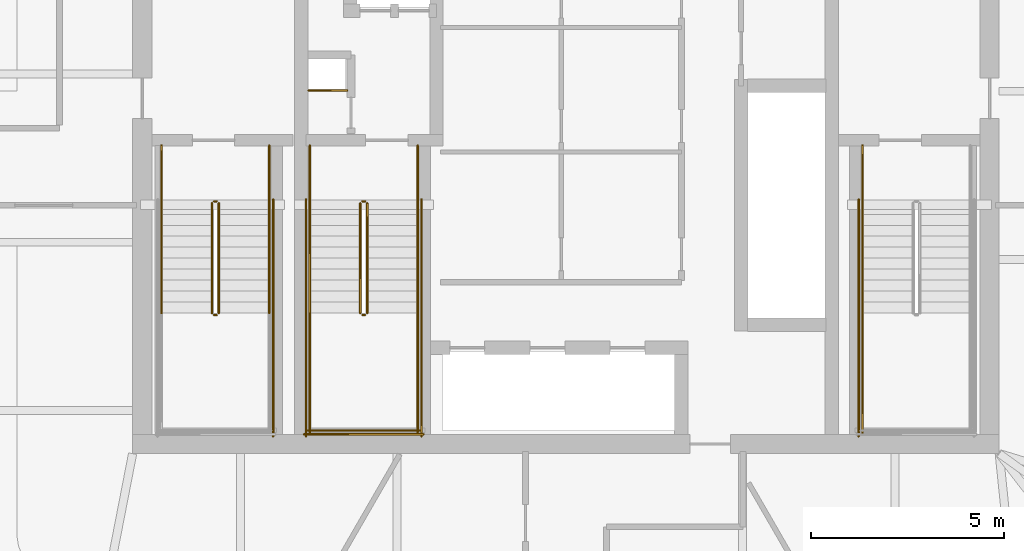
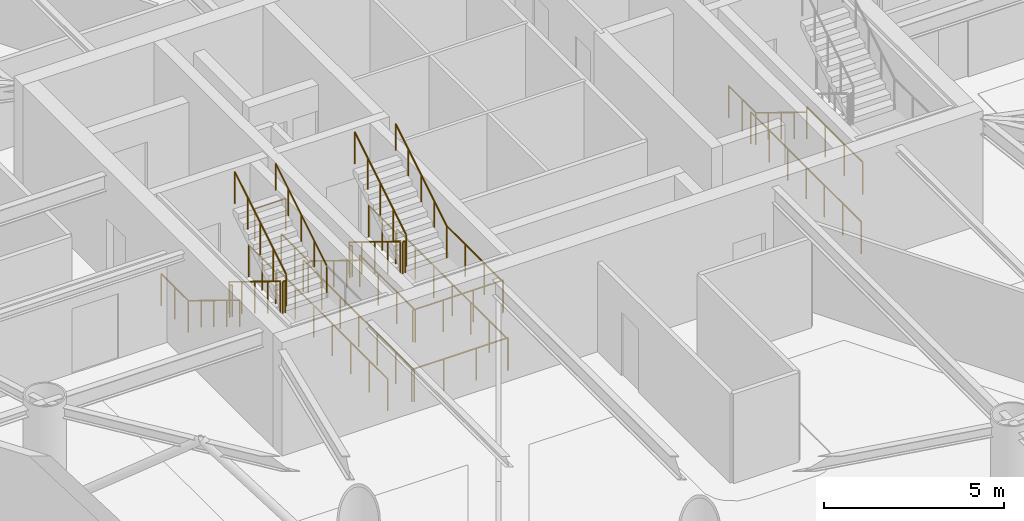
# One storey, part 18 of 20: 28 railings.
"""IFC4 building model written with IfcOpenShell, lengths in metres."""

from ifc_helpers import new_model, si_unit, direction, frame, origin, origin_2d, place, context, subcontext, project, spatial, circle, extrude, material, type_object, element, save


model = new_model("IFC4")

# Units and contexts
model_context = context("Model", 3, precision=1e-05, world=origin(), true_north=direction((0.0, 1.0)))
body_context = subcontext(model_context, "Body", "Model", "MODEL_VIEW")
ifc_project = project(units=[si_unit("LENGTHUNIT", "METRE"), si_unit("AREAUNIT", "SQUARE_METRE"), si_unit("VOLUMEUNIT", "CUBIC_METRE"), si_unit("PLANEANGLEUNIT", "RADIAN"), si_unit("MASSUNIT", "GRAM", prefix="KILO")], contexts=[model_context])

# Site, building, storey
site_placement = place(None, origin())
site = spatial("IfcSite", under=ifc_project, at=site_placement, CompositionType="ELEMENT")
building_placement = place(site_placement, origin())
building = spatial("IfcBuilding", under=site, at=building_placement, Name="Bramvorn Convention Spire", CompositionType="ELEMENT")
storey_placement = place(building_placement, frame((0.0, 0.0, 175.050048828125)))
storey = spatial("IfcBuildingStorey", under=building, at=storey_placement, Name="L44", CompositionType="ELEMENT", Elevation=175.050048828125)

# Railings
ifc_material_1 = material(Name="Painted Steel Balustrade & Guardrail", Category="steel")
railing_type_1 = type_object("IfcRailingType", Name="RL-STAIR-GUARD-1100", PredefinedType="GUARDRAIL", material=ifc_material_1)
railing_1_placement = place(storey_placement, frame((28.81005859375, 25.050048828125, 0.175048828125)))
element("IfcRailing", 1, at=railing_1_placement, inside=storey, type_object=railing_type_1, Name="L44 ST1 stair guard 1", PredefinedType="GUARDRAIL", context=body_context, shape_type="SweptSolid", body=[
    extrude(circle(Radius=0.02392578125, at=origin_2d()), frame((0.0, 0.0, 1.076171875), z_axis=(0.0, -0.852179220489, 0.52325001306), x_axis=(1.0, 0.0, 0.0)), (0.0, 0.0, 1.0), 3.344482421875),
    extrude(circle(Radius=0.02099609375, at=origin_2d()), origin(), (0.0, 0.0, 1.0), 1.052001953125),
    extrude(circle(Radius=0.02099609375, at=origin_2d()), frame((0.0, -0.71240234375, 0.4375)), (0.0, 0.0, 1.0), 1.052001953125),
    extrude(circle(Radius=0.02099609375, at=origin_2d()), frame((0.0, -1.425048828125, 0.875)), (0.0, 0.0, 1.0), 1.052001953125),
    extrude(circle(Radius=0.02099609375, at=origin_2d()), frame((0.0, -2.1376953125, 1.3125)), (0.0, 0.0, 1.0), 1.052001953125),
    extrude(circle(Radius=0.02099609375, at=origin_2d()), frame((0.0, -2.85009765625, 1.75)), (0.0, 0.0, 1.0), 1.052001953125),
])
railing_2_placement = place(storey_placement, frame((28.860107421875, 22.14990234375, 1.925048828125)))
element("IfcRailing", 2, at=railing_2_placement, inside=storey, type_object=railing_type_1, Name="L44 ST1 stair guard 2", PredefinedType="GUARDRAIL", context=body_context, shape_type="SweptSolid", body=[
    extrude(circle(Radius=0.02392578125, at=origin_2d()), frame((0.0, 0.0, 1.076171875), z_axis=(1.0, 0.0, 0.0), x_axis=(0.0, 1.0, 0.0)), (0.0, 0.0, 1.0), 0.079833984375),
    extrude(circle(Radius=0.02099609375, at=origin_2d()), origin(), (0.0, 0.0, 1.0), 1.052001953125),
    extrude(circle(Radius=0.02099609375, at=origin_2d()), frame((0.079833984375, 0.0, 0.0)), (0.0, 0.0, 1.0), 1.052001953125),
])
railing_3_placement = place(storey_placement, frame((28.989990234375, 22.199951171875, 2.099853515625)))
element("IfcRailing", 3, at=railing_3_placement, inside=storey, type_object=railing_type_1, Name="L44 ST1 stair guard 6", PredefinedType="GUARDRAIL", context=body_context, shape_type="SweptSolid", body=[
    extrude(circle(Radius=0.02392578125, at=origin_2d()), frame((0.0, 0.0, 1.076171875), z_axis=(0.0, 0.852179220489, 0.52325001306), x_axis=(-1.0, 0.0, 0.0)), (0.0, 0.0, 1.0), 3.344482421875),
    extrude(circle(Radius=0.02099609375, at=origin_2d()), origin(), (0.0, 0.0, 1.0), 1.052001953125),
    extrude(circle(Radius=0.02099609375, at=origin_2d()), frame((0.0, 0.71240234375, 0.4375)), (0.0, 0.0, 1.0), 1.052001953125),
    extrude(circle(Radius=0.02099609375, at=origin_2d()), frame((0.0, 1.425048828125, 0.875)), (0.0, 0.0, 1.0), 1.052001953125),
    extrude(circle(Radius=0.02099609375, at=origin_2d()), frame((0.0, 2.1376953125, 1.3125)), (0.0, 0.0, 1.0), 1.052001953125),
    extrude(circle(Radius=0.02099609375, at=origin_2d()), frame((0.0, 2.85009765625, 1.75)), (0.0, 0.0, 1.0), 1.052001953125),
])
railing_4_placement = place(storey_placement, frame((28.860107421875, 25.10009765625, 0.0)))
element("IfcRailing", 4, at=railing_4_placement, inside=storey, type_object=railing_type_1, Name="L44 ST1 stair guard 7", PredefinedType="GUARDRAIL", context=body_context, shape_type="SweptSolid", body=[
    extrude(circle(Radius=0.02392578125, at=origin_2d()), frame((0.0, 0.0, 1.076171875), z_axis=(1.0, 0.0, 0.0), x_axis=(0.0, 1.0, 0.0)), (0.0, 0.0, 1.0), 0.079833984375),
    extrude(circle(Radius=0.02099609375, at=origin_2d()), origin(), (0.0, 0.0, 1.0), 1.052001953125),
    extrude(circle(Radius=0.02099609375, at=origin_2d()), frame((0.079833984375, 0.0, 0.0)), (0.0, 0.0, 1.0), 1.052001953125),
])
for number, where, name in (
    (5, (27.5, 26.550048828125, 0.0), "L44 ST1 stair guard 8"),
    (6, (30.300048828125, 26.550048828125, 0.0), "L44 ST1 stair guard 9"),
):
    element("IfcRailing", number, at=place(storey_placement, frame(where)), inside=storey, type_object=railing_type_1, Name=name, PredefinedType="GUARDRAIL", context=body_context, shape_type="SweptSolid", body=[
        extrude(circle(Radius=0.02392578125, at=origin_2d()), frame((0.0, 0.0, 1.076171875), z_axis=(0.0, -1.0, 0.0), x_axis=(1.0, 0.0, 0.0)), (0.0, 0.0, 1.0), 1.5),
        extrude(circle(Radius=0.02099609375, at=origin_2d()), origin(), (0.0, 0.0, 1.0), 1.052001953125),
        extrude(circle(Radius=0.02099609375, at=origin_2d()), frame((0.0, -0.75, 0.0)), (0.0, 0.0, 1.0), 1.052001953125),
        extrude(circle(Radius=0.02099609375, at=origin_2d()), frame((0.0, -1.5, 0.0)), (0.0, 0.0, 1.0), 1.052001953125),
    ])
railing_5_placement = place(storey_placement, frame((30.39990234375, 25.14990234375, 0.0)))
element("IfcRailing", 7, at=railing_5_placement, inside=storey, type_object=railing_type_1, Name="L44 ST1 stair guard 11", PredefinedType="GUARDRAIL", context=body_context, shape_type="SweptSolid", body=[
    extrude(circle(Radius=0.02392578125, at=origin_2d()), frame((0.0, 0.0, 1.076171875), z_axis=(0.0, -1.0, 0.0), x_axis=(1.0, 0.0, 0.0)), (0.0, 0.0, 1.0), 6.14990234375),
    extrude(circle(Radius=0.02099609375, at=origin_2d()), origin(), (0.0, 0.0, 1.0), 1.052001953125),
    extrude(circle(Radius=0.02099609375, at=origin_2d()), frame((0.0, -1.02490234375, 0.0)), (0.0, 0.0, 1.0), 1.052001953125),
    extrude(circle(Radius=0.02099609375, at=origin_2d()), frame((0.0, -2.050048828125, 0.0)), (0.0, 0.0, 1.0), 1.052001953125),
    extrude(circle(Radius=0.02099609375, at=origin_2d()), frame((0.0, -3.074951171875, 0.0)), (0.0, 0.0, 1.0), 1.052001953125),
    extrude(circle(Radius=0.02099609375, at=origin_2d()), frame((0.0, -4.099853515625, 0.0)), (0.0, 0.0, 1.0), 1.052001953125),
    extrude(circle(Radius=0.02099609375, at=origin_2d()), frame((0.0, -5.125, 0.0)), (0.0, 0.0, 1.0), 1.052001953125),
    extrude(circle(Radius=0.02099609375, at=origin_2d()), frame((0.0, -6.14990234375, 0.0)), (0.0, 0.0, 1.0), 1.052001953125),
])
railing_6_placement = place(storey_placement, frame((45.699951171875, 22.199951171875, 1.925048828125)))
element("IfcRailing", 8, at=railing_6_placement, inside=storey, type_object=railing_type_1, Name="L44 ST2 stair guard 3", PredefinedType="GUARDRAIL", context=body_context, shape_type="SweptSolid", body=[
    extrude(circle(Radius=0.02392578125, at=origin_2d()), frame((0.0, 0.0, 1.076171875), z_axis=(0.0, -1.0, 0.0), x_axis=(1.0, 0.0, 0.0)), (0.0, 0.0, 1.0), 3.099853515625),
    extrude(circle(Radius=0.02099609375, at=origin_2d()), origin(), (0.0, 0.0, 1.0), 1.052001953125),
    extrude(circle(Radius=0.02099609375, at=origin_2d()), frame((0.0, -1.033203125, 0.0)), (0.0, 0.0, 1.0), 1.052001953125),
    extrude(circle(Radius=0.02099609375, at=origin_2d()), frame((0.0, -2.066650390625, 0.0)), (0.0, 0.0, 1.0), 1.052001953125),
    extrude(circle(Radius=0.02099609375, at=origin_2d()), frame((0.0, -3.099853515625, 0.0)), (0.0, 0.0, 1.0), 1.052001953125),
])
railing_7_placement = place(storey_placement, frame((45.699951171875, 26.550048828125, 0.0)))
element("IfcRailing", 9, at=railing_7_placement, inside=storey, type_object=railing_type_1, Name="L44 ST2 stair guard 8", PredefinedType="GUARDRAIL", context=body_context, shape_type="SweptSolid", body=[
    extrude(circle(Radius=0.02392578125, at=origin_2d()), frame((0.0, 0.0, 1.076171875), z_axis=(0.0, -1.0, 0.0), x_axis=(1.0, 0.0, 0.0)), (0.0, 0.0, 1.0), 1.5),
    extrude(circle(Radius=0.02099609375, at=origin_2d()), origin(), (0.0, 0.0, 1.0), 1.052001953125),
    extrude(circle(Radius=0.02099609375, at=origin_2d()), frame((0.0, -0.75, 0.0)), (0.0, 0.0, 1.0), 1.052001953125),
    extrude(circle(Radius=0.02099609375, at=origin_2d()), frame((0.0, -1.5, 0.0)), (0.0, 0.0, 1.0), 1.052001953125),
])
railing_8_placement = place(storey_placement, frame((45.60009765625, 25.14990234375, 0.0)))
element("IfcRailing", 10, at=railing_8_placement, inside=storey, type_object=railing_type_1, Name="L44 ST2 stair guard 10", PredefinedType="GUARDRAIL", context=body_context, shape_type="SweptSolid", body=[
    extrude(circle(Radius=0.02392578125, at=origin_2d()), frame((0.0, 0.0, 1.076171875), z_axis=(0.0, -1.0, 0.0), x_axis=(1.0, 0.0, 0.0)), (0.0, 0.0, 1.0), 6.14990234375),
    extrude(circle(Radius=0.02099609375, at=origin_2d()), origin(), (0.0, 0.0, 1.0), 1.052001953125),
    extrude(circle(Radius=0.02099609375, at=origin_2d()), frame((0.0, -1.02490234375, 0.0)), (0.0, 0.0, 1.0), 1.052001953125),
    extrude(circle(Radius=0.02099609375, at=origin_2d()), frame((0.0, -2.050048828125, 0.0)), (0.0, 0.0, 1.0), 1.052001953125),
    extrude(circle(Radius=0.02099609375, at=origin_2d()), frame((0.0, -3.074951171875, 0.0)), (0.0, 0.0, 1.0), 1.052001953125),
    extrude(circle(Radius=0.02099609375, at=origin_2d()), frame((0.0, -4.099853515625, 0.0)), (0.0, 0.0, 1.0), 1.052001953125),
    extrude(circle(Radius=0.02099609375, at=origin_2d()), frame((0.0, -5.125, 0.0)), (0.0, 0.0, 1.0), 1.052001953125),
    extrude(circle(Radius=0.02099609375, at=origin_2d()), frame((0.0, -6.14990234375, 0.0)), (0.0, 0.0, 1.0), 1.052001953125),
])
railing_9_placement = place(storey_placement, frame((32.659912109375, 25.050048828125, 0.175048828125)))
element("IfcRailing", 11, at=railing_9_placement, inside=storey, type_object=railing_type_1, Name="L44 ST3 stair guard 1", PredefinedType="GUARDRAIL", context=body_context, shape_type="SweptSolid", body=[
    extrude(circle(Radius=0.02392578125, at=origin_2d()), frame((0.0, 0.0, 1.076171875), z_axis=(0.0, -0.852179220489, 0.52325001306), x_axis=(1.0, 0.0, 0.0)), (0.0, 0.0, 1.0), 3.344482421875),
    extrude(circle(Radius=0.02099609375, at=origin_2d()), origin(), (0.0, 0.0, 1.0), 1.052001953125),
    extrude(circle(Radius=0.02099609375, at=origin_2d()), frame((0.0, -0.71240234375, 0.4375)), (0.0, 0.0, 1.0), 1.052001953125),
    extrude(circle(Radius=0.02099609375, at=origin_2d()), frame((0.0, -1.425048828125, 0.875)), (0.0, 0.0, 1.0), 1.052001953125),
    extrude(circle(Radius=0.02099609375, at=origin_2d()), frame((0.0, -2.1376953125, 1.3125)), (0.0, 0.0, 1.0), 1.052001953125),
    extrude(circle(Radius=0.02099609375, at=origin_2d()), frame((0.0, -2.85009765625, 1.75)), (0.0, 0.0, 1.0), 1.052001953125),
])
railing_10_placement = place(storey_placement, frame((32.7099609375, 22.14990234375, 1.925048828125)))
element("IfcRailing", 12, at=railing_10_placement, inside=storey, type_object=railing_type_1, Name="L44 ST3 stair guard 2", PredefinedType="GUARDRAIL", context=body_context, shape_type="SweptSolid", body=[
    extrude(circle(Radius=0.02392578125, at=origin_2d()), frame((0.0, 0.0, 1.076171875), z_axis=(1.0, 0.0, 0.0), x_axis=(0.0, 1.0, 0.0)), (0.0, 0.0, 1.0), 0.080078125),
    extrude(circle(Radius=0.02099609375, at=origin_2d()), origin(), (0.0, 0.0, 1.0), 1.052001953125),
    extrude(circle(Radius=0.02099609375, at=origin_2d()), frame((0.080078125, 0.0, 0.0)), (0.0, 0.0, 1.0), 1.052001953125),
])
for number, where, name in (
    (13, (31.35009765625, 22.199951171875, 1.925048828125), "L44 ST3 stair guard 3"),
    (14, (34.14990234375, 22.199951171875, 1.925048828125), "L44 ST3 stair guard 4"),
):
    element("IfcRailing", number, at=place(storey_placement, frame(where)), inside=storey, type_object=railing_type_1, Name=name, PredefinedType="GUARDRAIL", context=body_context, shape_type="SweptSolid", body=[
        extrude(circle(Radius=0.02392578125, at=origin_2d()), frame((0.0, 0.0, 1.076171875), z_axis=(0.0, -1.0, 0.0), x_axis=(1.0, 0.0, 0.0)), (0.0, 0.0, 1.0), 3.099853515625),
        extrude(circle(Radius=0.02099609375, at=origin_2d()), origin(), (0.0, 0.0, 1.0), 1.052001953125),
        extrude(circle(Radius=0.02099609375, at=origin_2d()), frame((0.0, -1.033203125, 0.0)), (0.0, 0.0, 1.0), 1.052001953125),
        extrude(circle(Radius=0.02099609375, at=origin_2d()), frame((0.0, -2.066650390625, 0.0)), (0.0, 0.0, 1.0), 1.052001953125),
        extrude(circle(Radius=0.02099609375, at=origin_2d()), frame((0.0, -3.099853515625, 0.0)), (0.0, 0.0, 1.0), 1.052001953125),
    ])
railing_11_placement = place(storey_placement, frame((31.300048828125, 19.14990234375, 1.925048828125)))
element("IfcRailing", 15, at=railing_11_placement, inside=storey, type_object=railing_type_1, Name="L44 ST3 stair guard 5", PredefinedType="GUARDRAIL", context=body_context, shape_type="SweptSolid", body=[
    extrude(circle(Radius=0.02392578125, at=origin_2d()), frame((0.0, 0.0, 1.076171875), z_axis=(1.0, 0.0, 0.0), x_axis=(0.0, 1.0, 0.0)), (0.0, 0.0, 1.0), 2.89990234375),
    extrude(circle(Radius=0.02099609375, at=origin_2d()), origin(), (0.0, 0.0, 1.0), 1.052001953125),
    extrude(circle(Radius=0.02099609375, at=origin_2d()), frame((0.966552734375, 0.0, 0.0)), (0.0, 0.0, 1.0), 1.052001953125),
    extrude(circle(Radius=0.02099609375, at=origin_2d()), frame((1.933349609375, 0.0, 0.0)), (0.0, 0.0, 1.0), 1.052001953125),
    extrude(circle(Radius=0.02099609375, at=origin_2d()), frame((2.89990234375, 0.0, 0.0)), (0.0, 0.0, 1.0), 1.052001953125),
])
railing_12_placement = place(storey_placement, frame((32.840087890625, 22.199951171875, 2.099853515625)))
element("IfcRailing", 16, at=railing_12_placement, inside=storey, type_object=railing_type_1, Name="L44 ST3 stair guard 6", PredefinedType="GUARDRAIL", context=body_context, shape_type="SweptSolid", body=[
    extrude(circle(Radius=0.02392578125, at=origin_2d()), frame((0.0, 0.0, 1.076171875), z_axis=(0.0, 0.852179220489, 0.52325001306), x_axis=(-1.0, 0.0, 0.0)), (0.0, 0.0, 1.0), 3.344482421875),
    extrude(circle(Radius=0.02099609375, at=origin_2d()), origin(), (0.0, 0.0, 1.0), 1.052001953125),
    extrude(circle(Radius=0.02099609375, at=origin_2d()), frame((0.0, 0.71240234375, 0.4375)), (0.0, 0.0, 1.0), 1.052001953125),
    extrude(circle(Radius=0.02099609375, at=origin_2d()), frame((0.0, 1.425048828125, 0.875)), (0.0, 0.0, 1.0), 1.052001953125),
    extrude(circle(Radius=0.02099609375, at=origin_2d()), frame((0.0, 2.1376953125, 1.3125)), (0.0, 0.0, 1.0), 1.052001953125),
    extrude(circle(Radius=0.02099609375, at=origin_2d()), frame((0.0, 2.85009765625, 1.75)), (0.0, 0.0, 1.0), 1.052001953125),
])
railing_13_placement = place(storey_placement, frame((32.7099609375, 25.10009765625, 0.0)))
element("IfcRailing", 17, at=railing_13_placement, inside=storey, type_object=railing_type_1, Name="L44 ST3 stair guard 7", PredefinedType="GUARDRAIL", context=body_context, shape_type="SweptSolid", body=[
    extrude(circle(Radius=0.02392578125, at=origin_2d()), frame((0.0, 0.0, 1.076171875), z_axis=(1.0, 0.0, 0.0), x_axis=(0.0, 1.0, 0.0)), (0.0, 0.0, 1.0), 0.080078125),
    extrude(circle(Radius=0.02099609375, at=origin_2d()), origin(), (0.0, 0.0, 1.0), 1.052001953125),
    extrude(circle(Radius=0.02099609375, at=origin_2d()), frame((0.080078125, 0.0, 0.0)), (0.0, 0.0, 1.0), 1.052001953125),
])
for number, where, name in (
    (18, (31.35009765625, 26.550048828125, 0.0), "L44 ST3 stair guard 8"),
    (19, (34.14990234375, 26.550048828125, 0.0), "L44 ST3 stair guard 9"),
):
    element("IfcRailing", number, at=place(storey_placement, frame(where)), inside=storey, type_object=railing_type_1, Name=name, PredefinedType="GUARDRAIL", context=body_context, shape_type="SweptSolid", body=[
        extrude(circle(Radius=0.02392578125, at=origin_2d()), frame((0.0, 0.0, 1.076171875), z_axis=(0.0, -1.0, 0.0), x_axis=(1.0, 0.0, 0.0)), (0.0, 0.0, 1.0), 1.5),
        extrude(circle(Radius=0.02099609375, at=origin_2d()), origin(), (0.0, 0.0, 1.0), 1.052001953125),
        extrude(circle(Radius=0.02099609375, at=origin_2d()), frame((0.0, -0.75, 0.0)), (0.0, 0.0, 1.0), 1.052001953125),
        extrude(circle(Radius=0.02099609375, at=origin_2d()), frame((0.0, -1.5, 0.0)), (0.0, 0.0, 1.0), 1.052001953125),
    ])
for number, where, name in (
    (20, (31.25, 25.14990234375, 0.0), "L44 ST3 stair guard 10"),
    (21, (34.25, 25.14990234375, 0.0), "L44 ST3 stair guard 11"),
):
    element("IfcRailing", number, at=place(storey_placement, frame(where)), inside=storey, type_object=railing_type_1, Name=name, PredefinedType="GUARDRAIL", context=body_context, shape_type="SweptSolid", body=[
        extrude(circle(Radius=0.02392578125, at=origin_2d()), frame((0.0, 0.0, 1.076171875), z_axis=(0.0, -1.0, 0.0), x_axis=(1.0, 0.0, 0.0)), (0.0, 0.0, 1.0), 6.14990234375),
        extrude(circle(Radius=0.02099609375, at=origin_2d()), origin(), (0.0, 0.0, 1.0), 1.052001953125),
        extrude(circle(Radius=0.02099609375, at=origin_2d()), frame((0.0, -1.02490234375, 0.0)), (0.0, 0.0, 1.0), 1.052001953125),
        extrude(circle(Radius=0.02099609375, at=origin_2d()), frame((0.0, -2.050048828125, 0.0)), (0.0, 0.0, 1.0), 1.052001953125),
        extrude(circle(Radius=0.02099609375, at=origin_2d()), frame((0.0, -3.074951171875, 0.0)), (0.0, 0.0, 1.0), 1.052001953125),
        extrude(circle(Radius=0.02099609375, at=origin_2d()), frame((0.0, -4.099853515625, 0.0)), (0.0, 0.0, 1.0), 1.052001953125),
        extrude(circle(Radius=0.02099609375, at=origin_2d()), frame((0.0, -5.125, 0.0)), (0.0, 0.0, 1.0), 1.052001953125),
        extrude(circle(Radius=0.02099609375, at=origin_2d()), frame((0.0, -6.14990234375, 0.0)), (0.0, 0.0, 1.0), 1.052001953125),
    ])
railing_14_placement = place(storey_placement, frame((31.199951171875, 19.050048828125, 0.0)))
element("IfcRailing", 22, at=railing_14_placement, inside=storey, type_object=railing_type_1, Name="L44 ST3 stair guard 12", PredefinedType="GUARDRAIL", context=body_context, shape_type="SweptSolid", body=[
    extrude(circle(Radius=0.02392578125, at=origin_2d()), frame((0.0, 0.0, 1.076171875), z_axis=(1.0, 0.0, 0.0), x_axis=(0.0, 1.0, 0.0)), (0.0, 0.0, 1.0), 3.10009765625),
    extrude(circle(Radius=0.02099609375, at=origin_2d()), origin(), (0.0, 0.0, 1.0), 1.052001953125),
    extrude(circle(Radius=0.02099609375, at=origin_2d()), frame((1.033447265625, 0.0, 0.0)), (0.0, 0.0, 1.0), 1.052001953125),
    extrude(circle(Radius=0.02099609375, at=origin_2d()), frame((2.066650390625, 0.0, 0.0)), (0.0, 0.0, 1.0), 1.052001953125),
    extrude(circle(Radius=0.02099609375, at=origin_2d()), frame((3.10009765625, 0.0, 0.0)), (0.0, 0.0, 1.0), 1.052001953125),
])
railing_15_placement = place(storey_placement, frame((31.320068359375, 27.97998046875, 0.0)))
element("IfcRailing", 23, at=railing_15_placement, inside=storey, type_object=railing_type_1, Name="L44 Telecom riser shaft opening safety guardrail", PredefinedType="GUARDRAIL", context=body_context, shape_type="SweptSolid", body=[
    extrude(circle(Radius=0.02392578125, at=origin_2d()), frame((0.0, 0.0, 1.076171875), z_axis=(1.0, 0.0, 0.0), x_axis=(0.0, 1.0, 0.0)), (0.0, 0.0, 1.0), 1.0),
    extrude(circle(Radius=0.02099609375, at=origin_2d()), origin(), (0.0, 0.0, 1.0), 1.052001953125),
    extrude(circle(Radius=0.02099609375, at=origin_2d()), frame((1.0, 0.0, 0.0)), (0.0, 0.0, 1.0), 1.052001953125),
])
ifc_material_2 = material(Name="Brushed Bronze Tubular Handrail", Category="aluminium")
railing_type_2 = type_object("IfcRailingType", Name="RL-STAIR-HR-920", PredefinedType="HANDRAIL", material=ifc_material_2)
railing_16_placement = place(storey_placement, frame((27.5, 25.050048828125, 0.175048828125)))
element("IfcRailing", 24, at=railing_16_placement, inside=storey, type_object=railing_type_2, Name="L44 ST1 stair handrail 1", PredefinedType="HANDRAIL", context=body_context, shape_type="SweptSolid", body=[
    extrude(circle(Radius=0.02392578125, at=origin_2d()), frame((0.0, 0.0, 0.89599609375), z_axis=(0.0, -0.852179220489, 0.52325001306), x_axis=(1.0, 0.0, 0.0)), (0.0, 0.0, 1.0), 3.344482421875),
    extrude(circle(Radius=0.02099609375, at=origin_2d()), origin(), (0.0, 0.0, 1.0), 0.871826171875),
    extrude(circle(Radius=0.02099609375, at=origin_2d()), frame((0.0, -0.71240234375, 0.4375)), (0.0, 0.0, 1.0), 0.871826171875),
    extrude(circle(Radius=0.02099609375, at=origin_2d()), frame((0.0, -1.425048828125, 0.875)), (0.0, 0.0, 1.0), 0.871826171875),
    extrude(circle(Radius=0.02099609375, at=origin_2d()), frame((0.0, -2.1376953125, 1.3125)), (0.0, 0.0, 1.0), 0.871826171875),
    extrude(circle(Radius=0.02099609375, at=origin_2d()), frame((0.0, -2.85009765625, 1.75)), (0.0, 0.0, 1.0), 0.871826171875),
])
railing_17_placement = place(storey_placement, frame((30.300048828125, 22.199951171875, 2.099853515625)))
element("IfcRailing", 25, at=railing_17_placement, inside=storey, type_object=railing_type_2, Name="L44 ST1 stair handrail 2", PredefinedType="HANDRAIL", context=body_context, shape_type="SweptSolid", body=[
    extrude(circle(Radius=0.02392578125, at=origin_2d()), frame((0.0, 0.0, 0.89599609375), z_axis=(0.0, 0.852179220489, 0.52325001306), x_axis=(-1.0, 0.0, 0.0)), (0.0, 0.0, 1.0), 3.344482421875),
    extrude(circle(Radius=0.02099609375, at=origin_2d()), origin(), (0.0, 0.0, 1.0), 0.871826171875),
    extrude(circle(Radius=0.02099609375, at=origin_2d()), frame((0.0, 0.71240234375, 0.4375)), (0.0, 0.0, 1.0), 0.871826171875),
    extrude(circle(Radius=0.02099609375, at=origin_2d()), frame((0.0, 1.425048828125, 0.875)), (0.0, 0.0, 1.0), 0.871826171875),
    extrude(circle(Radius=0.02099609375, at=origin_2d()), frame((0.0, 2.1376953125, 1.3125)), (0.0, 0.0, 1.0), 0.871826171875),
    extrude(circle(Radius=0.02099609375, at=origin_2d()), frame((0.0, 2.85009765625, 1.75)), (0.0, 0.0, 1.0), 0.871826171875),
])
for number, where, name in (
    (26, (45.699951171875, 25.050048828125, 0.175048828125), "L44 ST2 stair handrail 1"),
    (27, (31.35009765625, 25.050048828125, 0.175048828125), "L44 ST3 stair handrail 1"),
):
    element("IfcRailing", number, at=place(storey_placement, frame(where)), inside=storey, type_object=railing_type_2, Name=name, PredefinedType="HANDRAIL", context=body_context, shape_type="SweptSolid", body=[
        extrude(circle(Radius=0.02392578125, at=origin_2d()), frame((0.0, 0.0, 0.89599609375), z_axis=(0.0, -0.852179220489, 0.52325001306), x_axis=(1.0, 0.0, 0.0)), (0.0, 0.0, 1.0), 3.344482421875),
        extrude(circle(Radius=0.02099609375, at=origin_2d()), origin(), (0.0, 0.0, 1.0), 0.871826171875),
        extrude(circle(Radius=0.02099609375, at=origin_2d()), frame((0.0, -0.71240234375, 0.4375)), (0.0, 0.0, 1.0), 0.871826171875),
        extrude(circle(Radius=0.02099609375, at=origin_2d()), frame((0.0, -1.425048828125, 0.875)), (0.0, 0.0, 1.0), 0.871826171875),
        extrude(circle(Radius=0.02099609375, at=origin_2d()), frame((0.0, -2.1376953125, 1.3125)), (0.0, 0.0, 1.0), 0.871826171875),
        extrude(circle(Radius=0.02099609375, at=origin_2d()), frame((0.0, -2.85009765625, 1.75)), (0.0, 0.0, 1.0), 0.871826171875),
    ])
railing_18_placement = place(storey_placement, frame((34.14990234375, 22.199951171875, 2.099853515625)))
element("IfcRailing", 28, at=railing_18_placement, inside=storey, type_object=railing_type_2, Name="L44 ST3 stair handrail 2", PredefinedType="HANDRAIL", context=body_context, shape_type="SweptSolid", body=[
    extrude(circle(Radius=0.02392578125, at=origin_2d()), frame((0.0, 0.0, 0.89599609375), z_axis=(0.0, 0.852179220489, 0.52325001306), x_axis=(-1.0, 0.0, 0.0)), (0.0, 0.0, 1.0), 3.344482421875),
    extrude(circle(Radius=0.02099609375, at=origin_2d()), origin(), (0.0, 0.0, 1.0), 0.871826171875),
    extrude(circle(Radius=0.02099609375, at=origin_2d()), frame((0.0, 0.71240234375, 0.4375)), (0.0, 0.0, 1.0), 0.871826171875),
    extrude(circle(Radius=0.02099609375, at=origin_2d()), frame((0.0, 1.425048828125, 0.875)), (0.0, 0.0, 1.0), 0.871826171875),
    extrude(circle(Radius=0.02099609375, at=origin_2d()), frame((0.0, 2.1376953125, 1.3125)), (0.0, 0.0, 1.0), 0.871826171875),
    extrude(circle(Radius=0.02099609375, at=origin_2d()), frame((0.0, 2.85009765625, 1.75)), (0.0, 0.0, 1.0), 0.871826171875),
])

save(model, "model.ifc")
